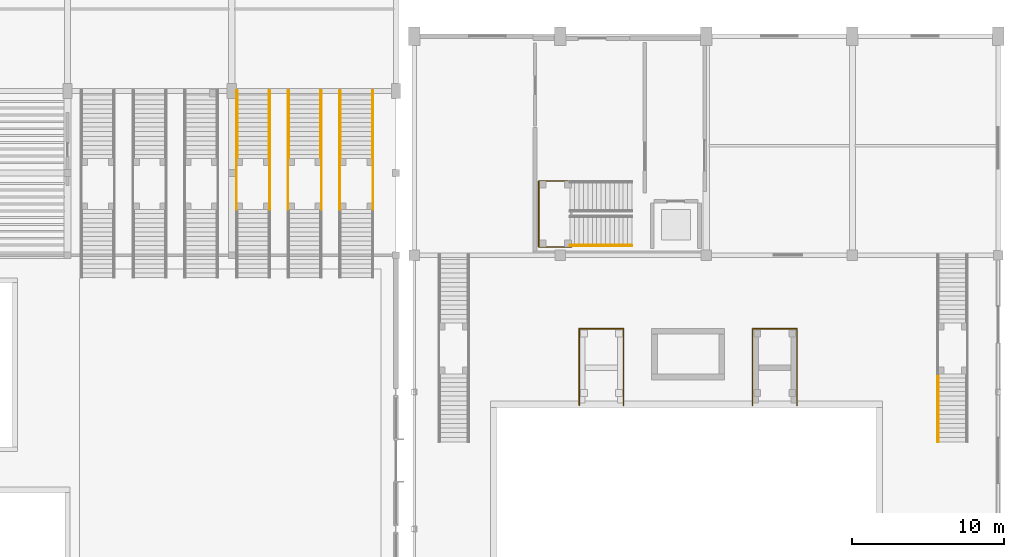
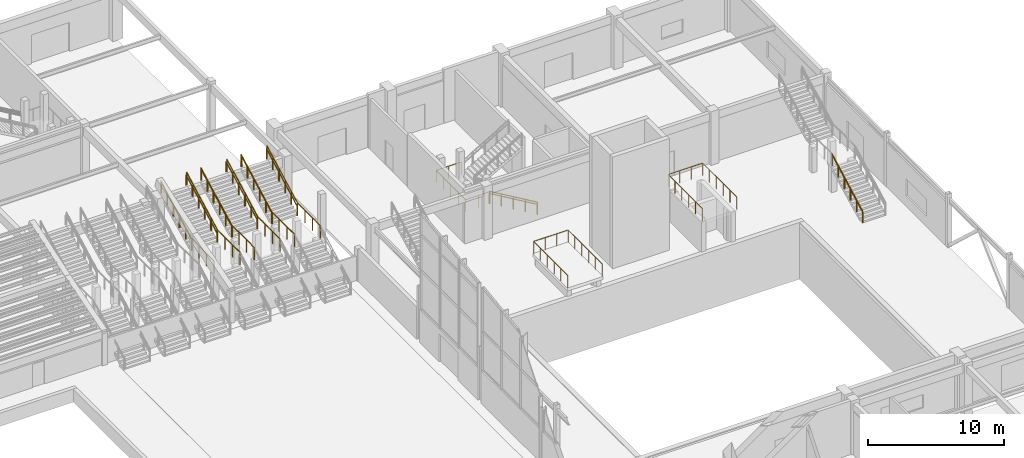
# One storey, part 78 of 82: 25 railings.
"""IFC4 building model written with IfcOpenShell, lengths in metres."""

from ifc_helpers import new_model, si_unit, direction, frame, origin, origin_2d, place, context, subcontext, project, spatial, circle, extrude, material, type_object, element, save


model = new_model("IFC4")

# Units and contexts
model_context = context("Model", 3, precision=1e-05, world=origin(), true_north=direction((0.0, 1.0)))
body_context = subcontext(model_context, "Body", "Model", "MODEL_VIEW")
ifc_project = project(units=[si_unit("LENGTHUNIT", "METRE"), si_unit("AREAUNIT", "SQUARE_METRE"), si_unit("VOLUMEUNIT", "CUBIC_METRE"), si_unit("PLANEANGLEUNIT", "RADIAN"), si_unit("MASSUNIT", "GRAM", prefix="KILO")], contexts=[model_context])

# Site, building, storey
site_placement = place(None, origin())
site = spatial("IfcSite", under=ifc_project, at=site_placement, CompositionType="ELEMENT")
building_placement = place(site_placement, origin())
building = spatial("IfcBuilding", under=site, at=building_placement, Name="Suirenkawa Promenade Aquatics Centre", CompositionType="ELEMENT")
storey_placement = place(building_placement, origin())
storey = spatial("IfcBuildingStorey", under=building, at=storey_placement, Name="L00", CompositionType="ELEMENT", Elevation=0.0)

# Railings
ifc_material = material(Name="Marine-grade stainless steel Grade 316L", Category="steel")
railing_type_1 = type_object("IfcRailingType", Name="RLT-GUARD-1120", PredefinedType="GUARDRAIL", material=ifc_material)
railing_1_placement = place(storey_placement, frame((170.31494140625, 87.0, 0.0)))
element("IfcRailing", 1, at=railing_1_placement, inside=storey, type_object=railing_type_1, Name="Guardrail GRD-01 RL-0153", PredefinedType="GUARDRAIL", context=body_context, shape_type="SweptSolid", body=[
    extrude(circle(Radius=0.02392578125, at=origin_2d()), frame((0.0, 0.0, 1.09619140625), z_axis=(-0.8608543813, 0.0, 0.508851387142), x_axis=(0.0, -1.0, 0.0)), (0.0, 0.0, 1.0), 4.71630859375),
    extrude(circle(Radius=0.02099609375, at=origin_2d()), origin(), (0.0, 0.0, 1.0), 1.072021484375),
    extrude(circle(Radius=0.02099609375, at=origin_2d()), frame((-1.01513671875, 0.0, 0.60009765625)), (0.0, 0.0, 1.0), 1.072021484375),
    extrude(circle(Radius=0.02099609375, at=origin_2d()), frame((-2.030029296875, 0.0, 1.199951171875)), (0.0, 0.0, 1.0), 1.072021484375),
    extrude(circle(Radius=0.02099609375, at=origin_2d()), frame((-3.044921875, 0.0, 1.7998046875)), (0.0, 0.0, 1.0), 1.072021484375),
    extrude(circle(Radius=0.02099609375, at=origin_2d()), frame((-4.06005859375, 0.0, 2.39990234375)), (0.0, 0.0, 1.0), 1.072021484375),
])
railing_2_placement = place(storey_placement, frame((166.320068359375, 86.949951171875, 2.39990234375)))
element("IfcRailing", 2, at=railing_2_placement, inside=storey, type_object=railing_type_1, Name="Guardrail GRD-01 RL-0159", PredefinedType="GUARDRAIL", context=body_context, shape_type="SweptSolid", body=[
    extrude(circle(Radius=0.02392578125, at=origin_2d()), frame((0.0, 0.0, 1.09619140625), z_axis=(-1.0, 0.0, 0.0), x_axis=(0.0, -1.0, 0.0)), (0.0, 0.0, 1.0), 2.130126953125),
    extrude(circle(Radius=0.02392578125, at=origin_2d()), frame((-2.130126953125, 0.0, 1.09619140625), z_axis=(0.0, 1.0, 0.0), x_axis=(-1.0, 0.0, 0.0)), (0.0, 0.0, 1.0), 4.330078125),
    extrude(circle(Radius=0.02392578125, at=origin_2d()), frame((-2.130126953125, 4.330078125, 1.09619140625), z_axis=(1.0, 0.0, 0.0), x_axis=(0.0, 1.0, 0.0)), (0.0, 0.0, 1.0), 2.130126953125),
    extrude(circle(Radius=0.02099609375, at=origin_2d()), origin(), (0.0, 0.0, 1.0), 1.072021484375),
    extrude(circle(Radius=0.02099609375, at=origin_2d()), frame((-1.06494140625, 0.0, 0.0)), (0.0, 0.0, 1.0), 1.072021484375),
    extrude(circle(Radius=0.02099609375, at=origin_2d()), frame((-2.130126953125, 0.0, 0.0)), (0.0, 0.0, 1.0), 1.072021484375),
    extrude(circle(Radius=0.02099609375, at=origin_2d()), frame((-2.130126953125, 1.08251953125, 0.0)), (0.0, 0.0, 1.0), 1.072021484375),
    extrude(circle(Radius=0.02099609375, at=origin_2d()), frame((-2.130126953125, 2.1650390625, 0.0)), (0.0, 0.0, 1.0), 1.072021484375),
    extrude(circle(Radius=0.02099609375, at=origin_2d()), frame((-2.130126953125, 3.24755859375, 0.0)), (0.0, 0.0, 1.0), 1.072021484375),
    extrude(circle(Radius=0.02099609375, at=origin_2d()), frame((-2.130126953125, 4.330078125, 0.0)), (0.0, 0.0, 1.0), 1.072021484375),
    extrude(circle(Radius=0.02099609375, at=origin_2d()), frame((-1.06494140625, 4.330078125, 0.0)), (0.0, 0.0, 1.0), 1.072021484375),
    extrude(circle(Radius=0.02099609375, at=origin_2d()), frame((0.0, 4.330078125, 0.0)), (0.0, 0.0, 1.0), 1.072021484375),
])
for number, where, name in (
    (3, (144.304931640625, 92.719970703125, 2.39990234375), "Guardrail GRD-01 RL-0285"),
    (4, (146.4951171875, 92.719970703125, 2.39990234375), "Guardrail GRD-01 RL-0287"),
):
    element("IfcRailing", number, at=place(storey_placement, frame(where)), inside=storey, type_object=railing_type_1, Name=name, PredefinedType="GUARDRAIL", context=body_context, shape_type="SweptSolid", body=[
        extrude(circle(Radius=0.02392578125, at=origin_2d()), frame((0.0, 0.0, 1.09619140625), z_axis=(0.0, 0.882341014787, 0.470610596591), x_axis=(-1.0, 0.0, 0.0)), (0.0, 0.0, 1.0), 5.10009765625),
        extrude(circle(Radius=0.02099609375, at=origin_2d()), origin(), (0.0, 0.0, 1.0), 1.072021484375),
        extrude(circle(Radius=0.02099609375, at=origin_2d()), frame((0.0, 0.89990234375, 0.47998046875)), (0.0, 0.0, 1.0), 1.072021484375),
        extrude(circle(Radius=0.02099609375, at=origin_2d()), frame((0.0, 1.800048828125, 0.9599609375)), (0.0, 0.0, 1.0), 1.072021484375),
        extrude(circle(Radius=0.02099609375, at=origin_2d()), frame((0.0, 2.699951171875, 1.440185546875)), (0.0, 0.0, 1.0), 1.072021484375),
        extrude(circle(Radius=0.02099609375, at=origin_2d()), frame((0.0, 3.60009765625, 1.920166015625)), (0.0, 0.0, 1.0), 1.072021484375),
        extrude(circle(Radius=0.02099609375, at=origin_2d()), frame((0.0, 4.5, 2.400146484375)), (0.0, 0.0, 1.0), 1.072021484375),
    ])
for number, where, name in (
    (5, (144.304931640625, 89.405029296875, 2.39990234375), "Guardrail GRD-01 RL-0289"),
    (6, (146.4951171875, 89.405029296875, 2.39990234375), "Guardrail GRD-01 RL-0290"),
):
    element("IfcRailing", number, at=place(storey_placement, frame(where)), inside=storey, type_object=railing_type_1, Name=name, PredefinedType="GUARDRAIL", context=body_context, shape_type="SweptSolid", body=[
        extrude(circle(Radius=0.02392578125, at=origin_2d()), frame((0.0, 0.0, 1.09619140625), z_axis=(0.0, 1.0, 0.0), x_axis=(-1.0, 0.0, 0.0)), (0.0, 0.0, 1.0), 3.340087890625),
        extrude(circle(Radius=0.02099609375, at=origin_2d()), origin(), (0.0, 0.0, 1.0), 1.072021484375),
        extrude(circle(Radius=0.02099609375, at=origin_2d()), frame((0.0, 1.11328125, 0.0)), (0.0, 0.0, 1.0), 1.072021484375),
        extrude(circle(Radius=0.02099609375, at=origin_2d()), frame((0.0, 2.226806640625, 0.0)), (0.0, 0.0, 1.0), 1.072021484375),
        extrude(circle(Radius=0.02099609375, at=origin_2d()), frame((0.0, 3.340087890625, 0.0)), (0.0, 0.0, 1.0), 1.072021484375),
    ])
for number, where, name in (
    (7, (147.705078125, 92.719970703125, 2.39990234375), "Guardrail GRD-01 RL-0295"),
    (8, (149.89501953125, 92.719970703125, 2.39990234375), "Guardrail GRD-01 RL-0297"),
):
    element("IfcRailing", number, at=place(storey_placement, frame(where)), inside=storey, type_object=railing_type_1, Name=name, PredefinedType="GUARDRAIL", context=body_context, shape_type="SweptSolid", body=[
        extrude(circle(Radius=0.02392578125, at=origin_2d()), frame((0.0, 0.0, 1.09619140625), z_axis=(0.0, 0.882341014787, 0.470610596591), x_axis=(-1.0, 0.0, 0.0)), (0.0, 0.0, 1.0), 5.10009765625),
        extrude(circle(Radius=0.02099609375, at=origin_2d()), origin(), (0.0, 0.0, 1.0), 1.072021484375),
        extrude(circle(Radius=0.02099609375, at=origin_2d()), frame((0.0, 0.89990234375, 0.47998046875)), (0.0, 0.0, 1.0), 1.072021484375),
        extrude(circle(Radius=0.02099609375, at=origin_2d()), frame((0.0, 1.800048828125, 0.9599609375)), (0.0, 0.0, 1.0), 1.072021484375),
        extrude(circle(Radius=0.02099609375, at=origin_2d()), frame((0.0, 2.699951171875, 1.440185546875)), (0.0, 0.0, 1.0), 1.072021484375),
        extrude(circle(Radius=0.02099609375, at=origin_2d()), frame((0.0, 3.60009765625, 1.920166015625)), (0.0, 0.0, 1.0), 1.072021484375),
        extrude(circle(Radius=0.02099609375, at=origin_2d()), frame((0.0, 4.5, 2.400146484375)), (0.0, 0.0, 1.0), 1.072021484375),
    ])
for number, where, name in (
    (9, (147.705078125, 89.405029296875, 2.39990234375), "Guardrail GRD-01 RL-0299"),
    (10, (149.89501953125, 89.405029296875, 2.39990234375), "Guardrail GRD-01 RL-0300"),
):
    element("IfcRailing", number, at=place(storey_placement, frame(where)), inside=storey, type_object=railing_type_1, Name=name, PredefinedType="GUARDRAIL", context=body_context, shape_type="SweptSolid", body=[
        extrude(circle(Radius=0.02392578125, at=origin_2d()), frame((0.0, 0.0, 1.09619140625), z_axis=(0.0, 1.0, 0.0), x_axis=(-1.0, 0.0, 0.0)), (0.0, 0.0, 1.0), 3.340087890625),
        extrude(circle(Radius=0.02099609375, at=origin_2d()), origin(), (0.0, 0.0, 1.0), 1.072021484375),
        extrude(circle(Radius=0.02099609375, at=origin_2d()), frame((0.0, 1.11328125, 0.0)), (0.0, 0.0, 1.0), 1.072021484375),
        extrude(circle(Radius=0.02099609375, at=origin_2d()), frame((0.0, 2.226806640625, 0.0)), (0.0, 0.0, 1.0), 1.072021484375),
        extrude(circle(Radius=0.02099609375, at=origin_2d()), frame((0.0, 3.340087890625, 0.0)), (0.0, 0.0, 1.0), 1.072021484375),
    ])
for number, where, name in (
    (11, (151.10498046875, 92.719970703125, 2.39990234375), "Guardrail GRD-01 RL-0305"),
    (12, (153.294921875, 92.719970703125, 2.39990234375), "Guardrail GRD-01 RL-0307"),
):
    element("IfcRailing", number, at=place(storey_placement, frame(where)), inside=storey, type_object=railing_type_1, Name=name, PredefinedType="GUARDRAIL", context=body_context, shape_type="SweptSolid", body=[
        extrude(circle(Radius=0.02392578125, at=origin_2d()), frame((0.0, 0.0, 1.09619140625), z_axis=(0.0, 0.882341014787, 0.470610596591), x_axis=(-1.0, 0.0, 0.0)), (0.0, 0.0, 1.0), 5.10009765625),
        extrude(circle(Radius=0.02099609375, at=origin_2d()), origin(), (0.0, 0.0, 1.0), 1.072021484375),
        extrude(circle(Radius=0.02099609375, at=origin_2d()), frame((0.0, 0.89990234375, 0.47998046875)), (0.0, 0.0, 1.0), 1.072021484375),
        extrude(circle(Radius=0.02099609375, at=origin_2d()), frame((0.0, 1.800048828125, 0.9599609375)), (0.0, 0.0, 1.0), 1.072021484375),
        extrude(circle(Radius=0.02099609375, at=origin_2d()), frame((0.0, 2.699951171875, 1.440185546875)), (0.0, 0.0, 1.0), 1.072021484375),
        extrude(circle(Radius=0.02099609375, at=origin_2d()), frame((0.0, 3.60009765625, 1.920166015625)), (0.0, 0.0, 1.0), 1.072021484375),
        extrude(circle(Radius=0.02099609375, at=origin_2d()), frame((0.0, 4.5, 2.400146484375)), (0.0, 0.0, 1.0), 1.072021484375),
    ])
for number, where, name in (
    (13, (151.10498046875, 89.405029296875, 2.39990234375), "Guardrail GRD-01 RL-0309"),
    (14, (153.294921875, 89.405029296875, 2.39990234375), "Guardrail GRD-01 RL-0310"),
):
    element("IfcRailing", number, at=place(storey_placement, frame(where)), inside=storey, type_object=railing_type_1, Name=name, PredefinedType="GUARDRAIL", context=body_context, shape_type="SweptSolid", body=[
        extrude(circle(Radius=0.02392578125, at=origin_2d()), frame((0.0, 0.0, 1.09619140625), z_axis=(0.0, 1.0, 0.0), x_axis=(-1.0, 0.0, 0.0)), (0.0, 0.0, 1.0), 3.340087890625),
        extrude(circle(Radius=0.02099609375, at=origin_2d()), origin(), (0.0, 0.0, 1.0), 1.072021484375),
        extrude(circle(Radius=0.02099609375, at=origin_2d()), frame((0.0, 1.11328125, 0.0)), (0.0, 0.0, 1.0), 1.072021484375),
        extrude(circle(Radius=0.02099609375, at=origin_2d()), frame((0.0, 2.226806640625, 0.0)), (0.0, 0.0, 1.0), 1.072021484375),
        extrude(circle(Radius=0.02099609375, at=origin_2d()), frame((0.0, 3.340087890625, 0.0)), (0.0, 0.0, 1.0), 1.072021484375),
    ])
railing_3_placement = place(storey_placement, frame((190.419921875, 74.1298828125, 0.0)))
element("IfcRailing", 15, at=railing_3_placement, inside=storey, type_object=railing_type_1, Name="Guardrail GRD-01 RL-0341", PredefinedType="GUARDRAIL", context=body_context, shape_type="SweptSolid", body=[
    extrude(circle(Radius=0.02392578125, at=origin_2d()), frame((0.0, 0.0, 1.09619140625), z_axis=(0.0, 0.882360891967, 0.470573327259), x_axis=(-1.0, 0.0, 0.0)), (0.0, 0.0, 1.0), 5.099853515625),
    extrude(circle(Radius=0.02099609375, at=origin_2d()), origin(), (0.0, 0.0, 1.0), 1.072021484375),
    extrude(circle(Radius=0.02099609375, at=origin_2d()), frame((0.0, 0.89990234375, 0.47998046875)), (0.0, 0.0, 1.0), 1.072021484375),
    extrude(circle(Radius=0.02099609375, at=origin_2d()), frame((0.0, 1.800048828125, 0.9599609375)), (0.0, 0.0, 1.0), 1.072021484375),
    extrude(circle(Radius=0.02099609375, at=origin_2d()), frame((0.0, 2.699951171875, 1.43994140625)), (0.0, 0.0, 1.0), 1.072021484375),
    extrude(circle(Radius=0.02099609375, at=origin_2d()), frame((0.0, 3.60009765625, 1.919921875)), (0.0, 0.0, 1.0), 1.072021484375),
    extrude(circle(Radius=0.02099609375, at=origin_2d()), frame((0.0, 4.5, 2.39990234375)), (0.0, 0.0, 1.0), 1.072021484375),
])
railing_4_placement = place(storey_placement, frame((166.840087890625, 76.5400390625, 1.0)))
element("IfcRailing", 16, at=railing_4_placement, inside=storey, type_object=railing_type_1, Name="Guardrail GRD-01 RL-0432", PredefinedType="GUARDRAIL", context=body_context, shape_type="SweptSolid", body=[
    extrude(circle(Radius=0.02392578125, at=origin_2d()), frame((0.0, 0.0, 1.09619140625), z_axis=(0.0, 1.0, 0.0), x_axis=(-1.0, 0.0, 0.0)), (0.0, 0.0, 1.0), 5.02001953125),
    extrude(circle(Radius=0.02392578125, at=origin_2d()), frame((0.0, 5.02001953125, 1.09619140625), z_axis=(1.0, 0.0, 0.0), x_axis=(0.0, 1.0, 0.0)), (0.0, 0.0, 1.0), 2.919921875),
    extrude(circle(Radius=0.02392578125, at=origin_2d()), frame((2.919921875, 5.02001953125, 1.09619140625), z_axis=(0.0, -1.0, 0.0), x_axis=(1.0, 0.0, 0.0)), (0.0, 0.0, 1.0), 5.02001953125),
    extrude(circle(Radius=0.02099609375, at=origin_2d()), origin(), (0.0, 0.0, 1.0), 1.072021484375),
    extrude(circle(Radius=0.02099609375, at=origin_2d()), frame((0.0, 1.00390625, 0.0)), (0.0, 0.0, 1.0), 1.072021484375),
    extrude(circle(Radius=0.02099609375, at=origin_2d()), frame((0.0, 2.008056640625, 0.0)), (0.0, 0.0, 1.0), 1.072021484375),
    extrude(circle(Radius=0.02099609375, at=origin_2d()), frame((0.0, 3.011962890625, 0.0)), (0.0, 0.0, 1.0), 1.072021484375),
    extrude(circle(Radius=0.02099609375, at=origin_2d()), frame((0.0, 4.01611328125, 0.0)), (0.0, 0.0, 1.0), 1.072021484375),
    extrude(circle(Radius=0.02099609375, at=origin_2d()), frame((0.0, 5.02001953125, 0.0)), (0.0, 0.0, 1.0), 1.072021484375),
    extrude(circle(Radius=0.02099609375, at=origin_2d()), frame((0.973388671875, 5.02001953125, 0.0)), (0.0, 0.0, 1.0), 1.072021484375),
    extrude(circle(Radius=0.02099609375, at=origin_2d()), frame((1.946533203125, 5.02001953125, 0.0)), (0.0, 0.0, 1.0), 1.072021484375),
    extrude(circle(Radius=0.02099609375, at=origin_2d()), frame((2.919921875, 5.02001953125, 0.0)), (0.0, 0.0, 1.0), 1.072021484375),
    extrude(circle(Radius=0.02099609375, at=origin_2d()), frame((2.919921875, 4.01611328125, 0.0)), (0.0, 0.0, 1.0), 1.072021484375),
    extrude(circle(Radius=0.02099609375, at=origin_2d()), frame((2.919921875, 3.011962890625, 0.0)), (0.0, 0.0, 1.0), 1.072021484375),
    extrude(circle(Radius=0.02099609375, at=origin_2d()), frame((2.919921875, 2.008056640625, 0.0)), (0.0, 0.0, 1.0), 1.072021484375),
    extrude(circle(Radius=0.02099609375, at=origin_2d()), frame((2.919921875, 1.00390625, 0.0)), (0.0, 0.0, 1.0), 1.072021484375),
    extrude(circle(Radius=0.02099609375, at=origin_2d()), frame((2.919921875, 0.0, 0.0)), (0.0, 0.0, 1.0), 1.072021484375),
])
railing_5_placement = place(storey_placement, frame((178.239990234375, 76.5400390625, 3.0)))
element("IfcRailing", 17, at=railing_5_placement, inside=storey, type_object=railing_type_1, Name="Guardrail GRD-01 RL-0433", PredefinedType="GUARDRAIL", context=body_context, shape_type="SweptSolid", body=[
    extrude(circle(Radius=0.02392578125, at=origin_2d()), frame((0.0, 0.0, 1.09619140625), z_axis=(0.0, 1.0, 0.0), x_axis=(-1.0, 0.0, 0.0)), (0.0, 0.0, 1.0), 5.02001953125),
    extrude(circle(Radius=0.02392578125, at=origin_2d()), frame((0.0, 5.02001953125, 1.09619140625), z_axis=(1.0, 0.0, 0.0), x_axis=(0.0, 1.0, 0.0)), (0.0, 0.0, 1.0), 2.919921875),
    extrude(circle(Radius=0.02392578125, at=origin_2d()), frame((2.919921875, 5.02001953125, 1.09619140625), z_axis=(0.0, -1.0, 0.0), x_axis=(1.0, 0.0, 0.0)), (0.0, 0.0, 1.0), 5.02001953125),
    extrude(circle(Radius=0.02099609375, at=origin_2d()), origin(), (0.0, 0.0, 1.0), 1.072021484375),
    extrude(circle(Radius=0.02099609375, at=origin_2d()), frame((0.0, 1.00390625, 0.0)), (0.0, 0.0, 1.0), 1.072021484375),
    extrude(circle(Radius=0.02099609375, at=origin_2d()), frame((0.0, 2.008056640625, 0.0)), (0.0, 0.0, 1.0), 1.072021484375),
    extrude(circle(Radius=0.02099609375, at=origin_2d()), frame((0.0, 3.011962890625, 0.0)), (0.0, 0.0, 1.0), 1.072021484375),
    extrude(circle(Radius=0.02099609375, at=origin_2d()), frame((0.0, 4.01611328125, 0.0)), (0.0, 0.0, 1.0), 1.072021484375),
    extrude(circle(Radius=0.02099609375, at=origin_2d()), frame((0.0, 5.02001953125, 0.0)), (0.0, 0.0, 1.0), 1.072021484375),
    extrude(circle(Radius=0.02099609375, at=origin_2d()), frame((0.973388671875, 5.02001953125, 0.0)), (0.0, 0.0, 1.0), 1.072021484375),
    extrude(circle(Radius=0.02099609375, at=origin_2d()), frame((1.946533203125, 5.02001953125, 0.0)), (0.0, 0.0, 1.0), 1.072021484375),
    extrude(circle(Radius=0.02099609375, at=origin_2d()), frame((2.919921875, 5.02001953125, 0.0)), (0.0, 0.0, 1.0), 1.072021484375),
    extrude(circle(Radius=0.02099609375, at=origin_2d()), frame((2.919921875, 4.01611328125, 0.0)), (0.0, 0.0, 1.0), 1.072021484375),
    extrude(circle(Radius=0.02099609375, at=origin_2d()), frame((2.919921875, 3.011962890625, 0.0)), (0.0, 0.0, 1.0), 1.072021484375),
    extrude(circle(Radius=0.02099609375, at=origin_2d()), frame((2.919921875, 2.008056640625, 0.0)), (0.0, 0.0, 1.0), 1.072021484375),
    extrude(circle(Radius=0.02099609375, at=origin_2d()), frame((2.919921875, 1.00390625, 0.0)), (0.0, 0.0, 1.0), 1.072021484375),
    extrude(circle(Radius=0.02099609375, at=origin_2d()), frame((2.919921875, 0.0, 0.0)), (0.0, 0.0, 1.0), 1.072021484375),
])
railing_type_2 = type_object("IfcRailingType", Name="RLT-HANDRAIL-900", PredefinedType="HANDRAIL", material=ifc_material)
railing_6_placement = place(storey_placement, frame((170.31494140625, 87.050048828125, 0.0)))
element("IfcRailing", 18, at=railing_6_placement, inside=storey, type_object=railing_type_2, Name="Handrail HRL-01 RL-0154", PredefinedType="HANDRAIL", context=body_context, shape_type="SweptSolid", body=[
    extrude(circle(Radius=0.02392578125, at=origin_2d()), frame((0.0, 0.0, 0.8759765625), z_axis=(-0.8608543813, 0.0, 0.508851387142), x_axis=(0.0, -1.0, 0.0)), (0.0, 0.0, 1.0), 4.71630859375),
    extrude(circle(Radius=0.02099609375, at=origin_2d()), origin(), (0.0, 0.0, 1.0), 0.851806640625),
    extrude(circle(Radius=0.02099609375, at=origin_2d()), frame((-1.01513671875, 0.0, 0.60009765625)), (0.0, 0.0, 1.0), 0.851806640625),
    extrude(circle(Radius=0.02099609375, at=origin_2d()), frame((-2.030029296875, 0.0, 1.199951171875)), (0.0, 0.0, 1.0), 0.851806640625),
    extrude(circle(Radius=0.02099609375, at=origin_2d()), frame((-3.044921875, 0.0, 1.7998046875)), (0.0, 0.0, 1.0), 0.851806640625),
    extrude(circle(Radius=0.02099609375, at=origin_2d()), frame((-4.06005859375, 0.0, 2.39990234375)), (0.0, 0.0, 1.0), 0.851806640625),
])
for number, where, name in (
    (19, (144.35498046875, 92.719970703125, 2.39990234375), "Handrail HRL-01 RL-0286"),
    (20, (146.445068359375, 92.719970703125, 2.39990234375), "Handrail HRL-01 RL-0288"),
    (21, (147.7548828125, 92.719970703125, 2.39990234375), "Handrail HRL-01 RL-0296"),
    (22, (149.844970703125, 92.719970703125, 2.39990234375), "Handrail HRL-01 RL-0298"),
    (23, (151.155029296875, 92.719970703125, 2.39990234375), "Handrail HRL-01 RL-0306"),
    (24, (153.2451171875, 92.719970703125, 2.39990234375), "Handrail HRL-01 RL-0308"),
):
    element("IfcRailing", number, at=place(storey_placement, frame(where)), inside=storey, type_object=railing_type_2, Name=name, PredefinedType="HANDRAIL", context=body_context, shape_type="SweptSolid", body=[
        extrude(circle(Radius=0.02392578125, at=origin_2d()), frame((0.0, 0.0, 0.8759765625), z_axis=(0.0, 0.882341014787, 0.470610596591), x_axis=(-1.0, 0.0, 0.0)), (0.0, 0.0, 1.0), 5.10009765625),
        extrude(circle(Radius=0.02099609375, at=origin_2d()), origin(), (0.0, 0.0, 1.0), 0.851806640625),
        extrude(circle(Radius=0.02099609375, at=origin_2d()), frame((0.0, 0.89990234375, 0.47998046875)), (0.0, 0.0, 1.0), 0.851806640625),
        extrude(circle(Radius=0.02099609375, at=origin_2d()), frame((0.0, 1.800048828125, 0.9599609375)), (0.0, 0.0, 1.0), 0.851806640625),
        extrude(circle(Radius=0.02099609375, at=origin_2d()), frame((0.0, 2.699951171875, 1.440185546875)), (0.0, 0.0, 1.0), 0.851806640625),
        extrude(circle(Radius=0.02099609375, at=origin_2d()), frame((0.0, 3.60009765625, 1.920166015625)), (0.0, 0.0, 1.0), 0.851806640625),
        extrude(circle(Radius=0.02099609375, at=origin_2d()), frame((0.0, 4.5, 2.400146484375)), (0.0, 0.0, 1.0), 0.851806640625),
    ])
railing_7_placement = place(storey_placement, frame((190.469970703125, 74.1298828125, 0.0)))
element("IfcRailing", 25, at=railing_7_placement, inside=storey, type_object=railing_type_2, Name="Handrail HRL-01 RL-0342", PredefinedType="HANDRAIL", context=body_context, shape_type="SweptSolid", body=[
    extrude(circle(Radius=0.02392578125, at=origin_2d()), frame((0.0, 0.0, 0.8759765625), z_axis=(0.0, 0.882360891967, 0.470573327259), x_axis=(-1.0, 0.0, 0.0)), (0.0, 0.0, 1.0), 5.099853515625),
    extrude(circle(Radius=0.02099609375, at=origin_2d()), origin(), (0.0, 0.0, 1.0), 0.851806640625),
    extrude(circle(Radius=0.02099609375, at=origin_2d()), frame((0.0, 0.89990234375, 0.47998046875)), (0.0, 0.0, 1.0), 0.851806640625),
    extrude(circle(Radius=0.02099609375, at=origin_2d()), frame((0.0, 1.800048828125, 0.9599609375)), (0.0, 0.0, 1.0), 0.851806640625),
    extrude(circle(Radius=0.02099609375, at=origin_2d()), frame((0.0, 2.699951171875, 1.43994140625)), (0.0, 0.0, 1.0), 0.851806640625),
    extrude(circle(Radius=0.02099609375, at=origin_2d()), frame((0.0, 3.60009765625, 1.919921875)), (0.0, 0.0, 1.0), 0.851806640625),
    extrude(circle(Radius=0.02099609375, at=origin_2d()), frame((0.0, 4.5, 2.39990234375)), (0.0, 0.0, 1.0), 0.851806640625),
])

save(model, "model.ifc")
